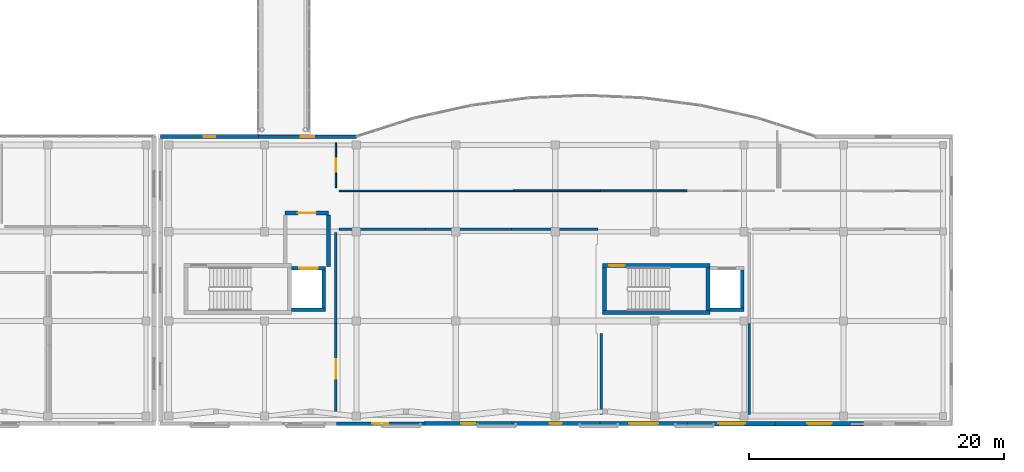
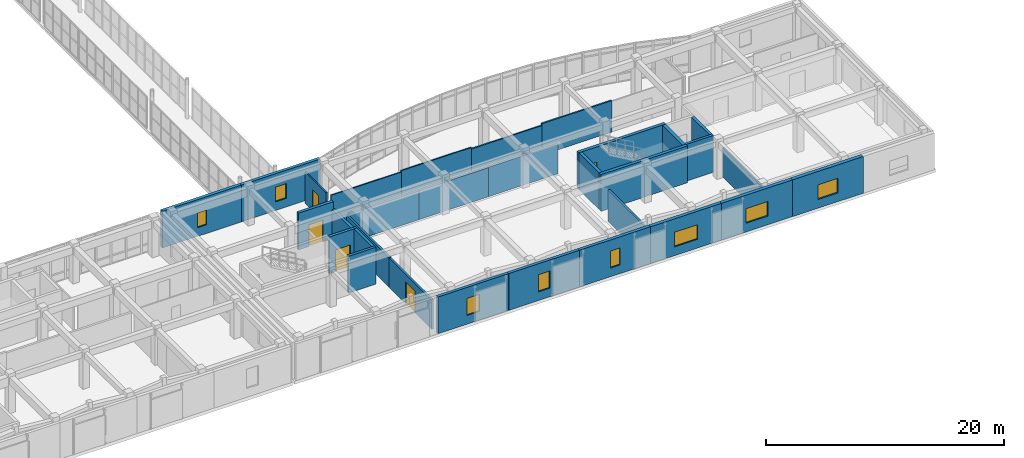
# One storey, part 132 of 146: 31 walls, 8 windows, 5 doors, 13 openings.
"""IFC4 building model written with IfcOpenShell, lengths in metres."""

from ifc_helpers import new_model, si_unit, direction, frame, frame_2d, origin, place, context, subcontext, project, spatial, rectangle, extrude, material, layer, layer_set, type_object, element, fill, save


model = new_model("IFC4")

# Units and contexts
model_context = context("Model", 3, precision=1e-05, world=origin(), true_north=direction((0.0, 1.0)))
body_context = subcontext(model_context, "Body", "Model", "MODEL_VIEW")
ifc_project = project(units=[si_unit("LENGTHUNIT", "METRE"), si_unit("AREAUNIT", "SQUARE_METRE"), si_unit("VOLUMEUNIT", "CUBIC_METRE"), si_unit("PLANEANGLEUNIT", "RADIAN"), si_unit("MASSUNIT", "GRAM", prefix="KILO")], contexts=[model_context])

# Site, building, storey
site_placement = place(None, origin())
site = spatial("IfcSite", under=ifc_project, at=site_placement, CompositionType="ELEMENT")
building_placement = place(site_placement, origin())
building = spatial("IfcBuilding", under=site, at=building_placement, Name="Valcora Specialist Clinic", CompositionType="ELEMENT")
storey_placement = place(building_placement, frame((0.0, 0.0, 9.52001953125)))
storey = spatial("IfcBuildingStorey", under=building, at=storey_placement, Name="L02", CompositionType="ELEMENT", Elevation=9.52001953125)

# Wall, opening, door
ifc_material_1 = material(Name="Concrete C40/50", Category="concrete")
ifc_layer_1 = layer(ifc_material_1, 0.284912109375)
ifc_layer_set_1 = layer_set([ifc_layer_1], Name="Concrete C40/50")
wall_type_1 = type_object("IfcWallType", Name="TY-WL-CR285", PredefinedType="SHEAR", material=ifc_layer_set_1)
wall_1_placement = place(storey_placement, frame((63.419921875, 16.659912109375, 0.0), z_axis=(0.0, 0.0, 1.0), x_axis=(1.0, 0.0, 0.0)))
wall_1 = element("IfcWall", 1, at=wall_1_placement, inside=storey, type_object=wall_type_1, Name="Firefighting lobby front wall WL-FFL-LF-07-L02-F", PredefinedType="SHEAR", context=body_context, shape_type="SweptSolid", body=[
    extrude(rectangle(XDim=3.400146484375, YDim=0.284912109375, at=frame_2d((1.7001953125, 0.0))), origin(), (0.0, 0.0, 1.0), 3.780029296875),
])
opening_1_placement = place(wall_1_placement, frame((1.0, 0.0, 0.0)))
opening_1 = element("IfcOpeningElement", 2, at=opening_1_placement, cuts=wall_1, Name="Opening DR-FF-140", PredefinedType="OPENING", context=body_context, shape_type="SweptSolid", body=[
    extrude(rectangle(XDim=1.39990234375, YDim=2.25, at=frame_2d((0.699951171875, 1.125))), frame((0.0, 0.15234375, 0.0), z_axis=(0.0, -1.0, 0.0), x_axis=(1.0, 0.0, 0.0)), (0.0, 0.0, 1.0), 0.304931640625),
])
ifc_material_2 = material(Name="Galvanized Hollow Metal Door Steel ASTM A653", Category="steel")
door_type_1 = type_object("IfcDoorType", Name="TY-DR-FF140", OperationType="NOTDEFINED", PredefinedType="DOOR", material=ifc_material_2)
door_1_placement = place(opening_1_placement, origin())
door_1 = element("IfcDoor", 3, at=door_1_placement, inside=storey, type_object=door_type_1, Name="Firefighting lobby fire door LF-07 L02", OperationType="SINGLE_SWING_RIGHT", OverallHeight=2.25, OverallWidth=1.39990234375, PredefinedType="DOOR", context=body_context, shape_type="SweptSolid", body=[
    extrude(rectangle(XDim=1.39990234375, YDim=2.25, at=frame_2d((0.699951171875, 1.125))), frame((0.0, 0.02490234375, 0.0), z_axis=(0.0, -1.0, 0.0), x_axis=(1.0, 0.0, 0.0)), (0.0, 0.0, 1.0), 0.050048828125),
])
fill(opening_1, door_1)

# Walls
wall_2_placement = place(storey_placement, frame((66.820068359375, 12.47998046875, 0.0), z_axis=(0.0, 0.0, 1.0), x_axis=(0.0, 1.0, 0.0)))
element("IfcWall", 4, at=wall_2_placement, inside=storey, type_object=wall_type_1, Name="Firefighting lobby east wall", PredefinedType="SHEAR", context=body_context, shape_type="SweptSolid", body=[
    extrude(rectangle(XDim=4.030029296875, YDim=0.284912109375, at=frame_2d((2.01513671875, 0.0))), origin(), (0.0, 0.0, 1.0), 3.030029296875),
])
ifc_layer_2 = layer(ifc_material_1, 0.300048828125)
ifc_layer_set_2 = layer_set([ifc_layer_2], Name="Concrete C40/50")
wall_type_2 = type_object("IfcWallType", Name="TY-WL-CR300", PredefinedType="SHEAR", material=ifc_layer_set_2)
wall_3_placement = place(storey_placement, frame((88.300048828125, 8.85009765625, 0.0), z_axis=(0.0, 0.0, 1.0), x_axis=(1.0, 0.0, 0.0)))
element("IfcWall", 5, at=wall_3_placement, inside=storey, type_object=wall_type_2, Name="Core shear wall WL-CR-C-V6B-L02-S", PredefinedType="SHEAR", context=body_context, shape_type="SweptSolid", body=[
    extrude(rectangle(XDim=8.419921875, YDim=0.300048828125, at=frame_2d((4.2099609375, 0.0))), origin(), (0.0, 0.0, 1.0), 3.780029296875),
])

# Wall, opening, door
wall_4_placement = place(storey_placement, frame((88.300048828125, 12.550048828125, 0.0), z_axis=(0.0, 0.0, 1.0), x_axis=(1.0, 0.0, 0.0)))
wall_4 = element("IfcWall", 6, at=wall_4_placement, inside=storey, type_object=wall_type_2, Name="Core shear wall WL-CR-C-V6B-L02-N", PredefinedType="SHEAR", context=body_context, shape_type="SweptSolid", body=[
    extrude(rectangle(XDim=8.419921875, YDim=0.300048828125, at=frame_2d((4.2099609375, 0.0))), origin(), (0.0, 0.0, 1.0), 3.780029296875),
])
opening_2_placement = place(wall_4_placement, frame((0.550048828125, 0.0, 0.0)))
opening_2 = element("IfcOpeningElement", 7, at=opening_2_placement, cuts=wall_4, Name="Opening DR-FD-120", PredefinedType="OPENING", context=body_context, shape_type="SweptSolid", body=[
    extrude(rectangle(XDim=1.199951171875, YDim=2.199951171875, at=frame_2d((0.60009765625, 1.10009765625))), frame((0.0, 0.159912109375, 0.0), z_axis=(0.0, -1.0, 0.0), x_axis=(1.0, 0.0, 0.0)), (0.0, 0.0, 1.0), 0.320068359375),
])
door_type_2 = type_object("IfcDoorType", Name="TY-DR-ST120", OperationType="NOTDEFINED", PredefinedType="DOOR", material=ifc_material_2)
door_2_placement = place(opening_2_placement, origin())
door_2 = element("IfcDoor", 8, at=door_2_placement, inside=storey, type_object=door_type_2, Name="Exit stair fire door C-V6B L02", OperationType="SINGLE_SWING_RIGHT", OverallHeight=2.199951171875, OverallWidth=1.199951171875, PredefinedType="DOOR", context=body_context, shape_type="SweptSolid", body=[
    extrude(rectangle(XDim=1.199951171875, YDim=2.199951171875, at=frame_2d((0.60009765625, 1.10009765625))), frame((0.0, 0.02490234375, 0.0), z_axis=(0.0, -1.0, 0.0), x_axis=(1.0, 0.0, 0.0)), (0.0, 0.0, 1.0), 0.050048828125),
])
fill(opening_2, door_2)

# Walls
wall_5_placement = place(storey_placement, frame((88.449951171875, 9.001953125, 0.0), z_axis=(0.0, 0.0, 1.0), x_axis=(0.0, 1.0, 0.0)))
element("IfcWall", 9, at=wall_5_placement, inside=storey, type_object=wall_type_2, Name="Core shear wall WL-CR-C-V6B-L02-W", PredefinedType="SHEAR", context=body_context, shape_type="SweptSolid", body=[
    extrude(rectangle(XDim=3.39599609375, YDim=0.300048828125, at=frame_2d((1.697998046875, 0.0))), origin(), (0.0, 0.0, 1.0), 3.780029296875),
])
ifc_layer_3 = layer(ifc_material_1, 0.320068359375)
ifc_layer_set_3 = layer_set([ifc_layer_3], Name="Concrete C40/50")
wall_type_3 = type_object("IfcWallType", Name="TY-WL-CR320", PredefinedType="SHEAR", material=ifc_layer_set_3)
wall_6_placement = place(storey_placement, frame((96.56005859375, 9.001953125, 0.0), z_axis=(0.0, 0.0, 1.0), x_axis=(0.0, 1.0, 0.0)))
element("IfcWall", 10, at=wall_6_placement, inside=storey, type_object=wall_type_3, Name="Core shear wall WL-CR-C-V6B-L02-E", PredefinedType="SHEAR", context=body_context, shape_type="SweptSolid", body=[
    extrude(rectangle(XDim=3.39599609375, YDim=0.320068359375, at=frame_2d((1.697998046875, 0.0))), origin(), (0.0, 0.0, 1.0), 3.780029296875),
])

# Wall, opening, window
ifc_material_3 = material(Name="Extruded Jalisco Clay Brick Masonry", Category="masonry")
ifc_layer_4 = layer(ifc_material_3, 0.280029296875)
ifc_layer_set_4 = layer_set([ifc_layer_4], Name="Extruded Jalisco Clay Brick Masonry")
wall_type_4 = type_object("IfcWallType", Name="TY-WL-EW280", PredefinedType="SOLIDWALL", material=ifc_layer_set_4)
wall_7_placement = place(storey_placement, frame((74.316650390625, 0.14990234375, 0.0), z_axis=(0.0, 0.0, 1.0), x_axis=(-1.0, 0.0, 0.0)))
wall_7 = element("IfcWall", 11, at=wall_7_placement, inside=storey, type_object=wall_type_4, Name="Exterior wall WL-EXT-L02-0357", PredefinedType="SOLIDWALL", context=body_context, shape_type="SweptSolid", body=[
    extrude(rectangle(XDim=6.888916015625, YDim=0.280029296875, at=frame_2d((3.4443359375, 0.0))), origin(), (0.0, 0.0, 1.0), 3.780029296875),
])
opening_3_placement = place(wall_7_placement, frame((2.819091796875, 0.0, 0.89990234375)))
opening_3 = element("IfcOpeningElement", 12, at=opening_3_placement, cuts=wall_7, Name="Opening WN-13", PredefinedType="OPENING", context=body_context, shape_type="SweptSolid", body=[
    extrude(rectangle(XDim=1.25, YDim=1.75, at=frame_2d((0.625, 0.875))), frame((0.0, 0.14990234375, 0.0), z_axis=(0.0, -1.0, 0.0), x_axis=(1.0, 0.0, 0.0)), (0.0, 0.0, 1.0), 0.300048828125),
])
ifc_material_4 = material(Name="Low-E Laminated Insulating Glass", Category="glass")
window_type_1 = type_object("IfcWindowType", Name="TY-WN-13", PartitioningType="SINGLE_PANEL", PredefinedType="WINDOW", material=ifc_material_4)
window_1_placement = place(opening_3_placement, origin())
window_1 = element("IfcWindow", 13, at=window_1_placement, inside=storey, type_object=window_type_1, Name="Facade window WN-L02-0307", OverallHeight=1.75, OverallWidth=1.25, PartitioningType="SINGLE_PANEL", PredefinedType="WINDOW", context=body_context, shape_type="SweptSolid", body=[
    extrude(rectangle(XDim=1.25, YDim=1.75, at=frame_2d((0.625, 0.875))), frame((0.0, 0.030029296875, 0.0), z_axis=(0.0, -1.0, 0.0), x_axis=(1.0, 0.0, 0.0)), (0.0, 0.0, 1.0), 0.06005859375),
])
fill(opening_3, window_1)

ifc_layer_5 = layer(ifc_material_3, 0.294921875)
ifc_layer_set_5 = layer_set([ifc_layer_5], Name="Extruded Jalisco Clay Brick Masonry")
wall_type_5 = type_object("IfcWallType", Name="TY-WL-EW295", PredefinedType="SOLIDWALL", material=ifc_layer_set_5)
wall_8_placement = place(storey_placement, frame((61.336669921875, 22.64990234375, 0.0), z_axis=(0.0, 0.0, 1.0), x_axis=(1.0, 0.0, 0.0)))
wall_8 = element("IfcWall", 14, at=wall_8_placement, inside=storey, type_object=wall_type_5, Name="Exterior wall WL-EXT-L02-0346", PredefinedType="SOLIDWALL", context=body_context, shape_type="SweptSolid", body=[
    extrude(rectangle(XDim=7.6865234375, YDim=0.294921875, at=frame_2d((3.84326171875, 0.0))), origin(), (0.0, 0.0, 1.0), 3.780029296875),
])
opening_4_placement = place(wall_8_placement, frame((3.318115234375, 0.0, 0.89990234375)))
opening_4 = element("IfcOpeningElement", 15, at=opening_4_placement, cuts=wall_8, Name="Opening WN-02", PredefinedType="OPENING", context=body_context, shape_type="SweptSolid", body=[
    extrude(rectangle(XDim=1.050048828125, YDim=1.5, at=frame_2d((0.52490234375, 0.75))), frame((0.0, 0.157470703125, 0.0), z_axis=(0.0, -1.0, 0.0), x_axis=(1.0, 0.0, 0.0)), (0.0, 0.0, 1.0), 0.31494140625),
])
window_type_2 = type_object("IfcWindowType", Name="TY-WN-02", PartitioningType="SINGLE_PANEL", PredefinedType="WINDOW", material=ifc_material_4)
window_2_placement = place(opening_4_placement, origin())
window_2 = element("IfcWindow", 16, at=window_2_placement, inside=storey, type_object=window_type_2, Name="Facade window WN-L02-0296", OverallHeight=1.5, OverallWidth=1.050048828125, PartitioningType="SINGLE_PANEL", PredefinedType="WINDOW", context=body_context, shape_type="SweptSolid", body=[
    extrude(rectangle(XDim=1.050048828125, YDim=1.5, at=frame_2d((0.52490234375, 0.75))), frame((0.0, 0.030029296875, 0.0), z_axis=(0.0, -1.0, 0.0), x_axis=(1.0, 0.0, 0.0)), (0.0, 0.0, 1.0), 0.06005859375),
])
fill(opening_4, window_2)

wall_9_placement = place(storey_placement, frame((81.20556640625, 0.14990234375, 0.0), z_axis=(0.0, 0.0, 1.0), x_axis=(-1.0, 0.0, 0.0)))
wall_9 = element("IfcWall", 17, at=wall_9_placement, inside=storey, type_object=wall_type_5, Name="Exterior wall WL-EXT-L02-0356", PredefinedType="SOLIDWALL", context=body_context, shape_type="SweptSolid", body=[
    extrude(rectangle(XDim=6.888916015625, YDim=0.294921875, at=frame_2d((3.4443359375, 0.0))), origin(), (0.0, 0.0, 1.0), 3.780029296875),
])
opening_5_placement = place(wall_9_placement, frame((2.89404296875, 0.0, 0.89990234375)))
opening_5 = element("IfcOpeningElement", 18, at=opening_5_placement, cuts=wall_9, Name="Opening WN-12", PredefinedType="OPENING", context=body_context, shape_type="SweptSolid", body=[
    extrude(rectangle(XDim=1.10009765625, YDim=1.75, at=frame_2d((0.550048828125, 0.875))), frame((0.0, 0.157470703125, 0.0), z_axis=(0.0, -1.0, 0.0), x_axis=(1.0, 0.0, 0.0)), (0.0, 0.0, 1.0), 0.31494140625),
])
window_type_3 = type_object("IfcWindowType", Name="TY-WN-12", PartitioningType="SINGLE_PANEL", PredefinedType="WINDOW", material=ifc_material_4)
window_3_placement = place(opening_5_placement, origin())
window_3 = element("IfcWindow", 19, at=window_3_placement, inside=storey, type_object=window_type_3, Name="Facade window WN-L02-0306", OverallHeight=1.75, OverallWidth=1.10009765625, PartitioningType="SINGLE_PANEL", PredefinedType="WINDOW", context=body_context, shape_type="SweptSolid", body=[
    extrude(rectangle(XDim=1.10009765625, YDim=1.75, at=frame_2d((0.550048828125, 0.875))), frame((0.0, 0.030029296875, 0.0), z_axis=(0.0, -1.0, 0.0), x_axis=(1.0, 0.0, 0.0)), (0.0, 0.0, 1.0), 0.06005859375),
])
fill(opening_5, window_3)

ifc_layer_6 = layer(ifc_material_3, 0.31005859375)
ifc_layer_set_6 = layer_set([ifc_layer_6], Name="Extruded Jalisco Clay Brick Masonry")
wall_type_6 = type_object("IfcWallType", Name="TY-WL-EW310", PredefinedType="SOLIDWALL", material=ifc_layer_set_6)
wall_10_placement = place(storey_placement, frame((53.64990234375, 22.64990234375, 0.0), z_axis=(0.0, 0.0, 1.0), x_axis=(1.0, 0.0, 0.0)))
wall_10 = element("IfcWall", 20, at=wall_10_placement, inside=storey, type_object=wall_type_6, Name="Exterior wall WL-EXT-L02-0345", PredefinedType="SOLIDWALL", context=body_context, shape_type="SweptSolid", body=[
    extrude(rectangle(XDim=7.686767578125, YDim=0.31005859375, at=frame_2d((3.84326171875, 0.0))), origin(), (0.0, 0.0, 1.0), 3.780029296875),
])
opening_6_placement = place(wall_10_placement, frame((3.39306640625, 0.0, 0.89990234375)))
opening_6 = element("IfcOpeningElement", 21, at=opening_6_placement, cuts=wall_10, Name="Opening WN-01", PredefinedType="OPENING", context=body_context, shape_type="SweptSolid", body=[
    extrude(rectangle(XDim=0.89990234375, YDim=1.5, at=frame_2d((0.449951171875, 0.75))), frame((0.0, 0.1650390625, 0.0), z_axis=(0.0, -1.0, 0.0), x_axis=(1.0, 0.0, 0.0)), (0.0, 0.0, 1.0), 0.330078125),
])
window_type_4 = type_object("IfcWindowType", Name="TY-WN-01", PartitioningType="SINGLE_PANEL", PredefinedType="WINDOW", material=ifc_material_4)
window_4_placement = place(opening_6_placement, origin())
window_4 = element("IfcWindow", 22, at=window_4_placement, inside=storey, type_object=window_type_4, Name="Facade window WN-L02-0295", OverallHeight=1.5, OverallWidth=0.89990234375, PartitioningType="SINGLE_PANEL", PredefinedType="WINDOW", context=body_context, shape_type="SweptSolid", body=[
    extrude(rectangle(XDim=0.89990234375, YDim=1.5, at=frame_2d((0.449951171875, 0.75))), frame((0.0, 0.030029296875, 0.0), z_axis=(0.0, -1.0, 0.0), x_axis=(1.0, 0.0, 0.0)), (0.0, 0.0, 1.0), 0.06005859375),
])
fill(opening_6, window_4)

wall_11_placement = place(storey_placement, frame((88.094482421875, 0.14990234375, 0.0), z_axis=(0.0, 0.0, 1.0), x_axis=(-1.0, 0.0, 0.0)))
wall_11 = element("IfcWall", 23, at=wall_11_placement, inside=storey, type_object=wall_type_6, Name="Exterior wall WL-EXT-L02-0355", PredefinedType="SOLIDWALL", context=body_context, shape_type="SweptSolid", body=[
    extrude(rectangle(XDim=6.888916015625, YDim=0.31005859375, at=frame_2d((3.4443359375, 0.0))), origin(), (0.0, 0.0, 1.0), 3.780029296875),
])
opening_7_placement = place(wall_11_placement, frame((2.968994140625, 0.0, 0.89990234375)))
opening_7 = element("IfcOpeningElement", 24, at=opening_7_placement, cuts=wall_11, Name="Opening WN-11", PredefinedType="OPENING", context=body_context, shape_type="SweptSolid", body=[
    extrude(rectangle(XDim=0.949951171875, YDim=1.75, at=frame_2d((0.47509765625, 0.875))), frame((0.0, 0.1650390625, 0.0), z_axis=(0.0, -1.0, 0.0), x_axis=(1.0, 0.0, 0.0)), (0.0, 0.0, 1.0), 0.330078125),
])
window_type_5 = type_object("IfcWindowType", Name="TY-WN-11", PartitioningType="SINGLE_PANEL", PredefinedType="WINDOW", material=ifc_material_4)
window_5_placement = place(opening_7_placement, origin())
window_5 = element("IfcWindow", 25, at=window_5_placement, inside=storey, type_object=window_type_5, Name="Facade window WN-L02-0305", OverallHeight=1.75, OverallWidth=0.949951171875, PartitioningType="SINGLE_PANEL", PredefinedType="WINDOW", context=body_context, shape_type="SweptSolid", body=[
    extrude(rectangle(XDim=0.949951171875, YDim=1.75, at=frame_2d((0.47509765625, 0.875))), frame((0.0, 0.030029296875, 0.0), z_axis=(0.0, -1.0, 0.0), x_axis=(1.0, 0.0, 0.0)), (0.0, 0.0, 1.0), 0.06005859375),
])
fill(opening_7, window_5)

ifc_layer_7 = layer(ifc_material_3, 0.324951171875)
ifc_layer_set_7 = layer_set([ifc_layer_7], Name="Extruded Jalisco Clay Brick Masonry")
wall_type_7 = type_object("IfcWallType", Name="TY-WL-EW325", PredefinedType="SOLIDWALL", material=ifc_layer_set_7)
wall_12_placement = place(storey_placement, frame((94.9833984375, 0.14990234375, 0.0), z_axis=(0.0, 0.0, 1.0), x_axis=(-1.0, 0.0, 0.0)))
wall_12 = element("IfcWall", 26, at=wall_12_placement, inside=storey, type_object=wall_type_7, Name="Exterior wall WL-EXT-L02-0354", PredefinedType="SOLIDWALL", context=body_context, shape_type="SweptSolid", body=[
    extrude(rectangle(XDim=6.888916015625, YDim=0.324951171875, at=frame_2d((3.4443359375, 0.0))), origin(), (0.0, 0.0, 1.0), 3.780029296875),
])
opening_8_placement = place(wall_12_placement, frame((2.319091796875, 0.0, 0.89990234375)))
opening_8 = element("IfcOpeningElement", 27, at=opening_8_placement, cuts=wall_12, Name="Opening WN-10", PredefinedType="OPENING", context=body_context, shape_type="SweptSolid", body=[
    extrude(rectangle(XDim=2.25, YDim=1.5, at=frame_2d((1.125, 0.75))), frame((0.0, 0.17236328125, 0.0), z_axis=(0.0, -1.0, 0.0), x_axis=(1.0, 0.0, 0.0)), (0.0, 0.0, 1.0), 0.344970703125),
])
window_type_6 = type_object("IfcWindowType", Name="TY-WN-10", PartitioningType="SINGLE_PANEL", PredefinedType="WINDOW", material=ifc_material_4)
window_6_placement = place(opening_8_placement, origin())
window_6 = element("IfcWindow", 28, at=window_6_placement, inside=storey, type_object=window_type_6, Name="Facade window WN-L02-0304", OverallHeight=1.5, OverallWidth=2.25, PartitioningType="SINGLE_PANEL", PredefinedType="WINDOW", context=body_context, shape_type="SweptSolid", body=[
    extrude(rectangle(XDim=2.25, YDim=1.5, at=frame_2d((1.125, 0.75))), frame((0.0, 0.030029296875, 0.0), z_axis=(0.0, -1.0, 0.0), x_axis=(1.0, 0.0, 0.0)), (0.0, 0.0, 1.0), 0.06005859375),
])
fill(opening_8, window_6)

ifc_layer_8 = layer(ifc_material_3, 0.340087890625)
ifc_layer_set_8 = layer_set([ifc_layer_8], Name="Extruded Jalisco Clay Brick Masonry")
wall_type_8 = type_object("IfcWallType", Name="TY-WL-EW340", PredefinedType="SOLIDWALL", material=ifc_layer_set_8)
wall_13_placement = place(storey_placement, frame((101.872314453125, 0.14990234375, 0.0), z_axis=(0.0, 0.0, 1.0), x_axis=(-1.0, 0.0, 0.0)))
wall_13 = element("IfcWall", 29, at=wall_13_placement, inside=storey, type_object=wall_type_8, Name="Exterior wall WL-EXT-L02-0353", PredefinedType="SOLIDWALL", context=body_context, shape_type="SweptSolid", body=[
    extrude(rectangle(XDim=6.888916015625, YDim=0.340087890625, at=frame_2d((3.4443359375, 0.0))), origin(), (0.0, 0.0, 1.0), 3.780029296875),
])
opening_9_placement = place(wall_13_placement, frame((2.39404296875, 0.0, 0.89990234375)))
opening_9 = element("IfcOpeningElement", 30, at=opening_9_placement, cuts=wall_13, Name="Opening WN-09", PredefinedType="OPENING", context=body_context, shape_type="SweptSolid", body=[
    extrude(rectangle(XDim=2.10009765625, YDim=1.5, at=frame_2d((1.050048828125, 0.75))), frame((0.0, 0.179931640625, 0.0), z_axis=(0.0, -1.0, 0.0), x_axis=(1.0, 0.0, 0.0)), (0.0, 0.0, 1.0), 0.360107421875),
])
window_type_7 = type_object("IfcWindowType", Name="TY-WN-09", PartitioningType="SINGLE_PANEL", PredefinedType="WINDOW", material=ifc_material_4)
window_7_placement = place(opening_9_placement, origin())
window_7 = element("IfcWindow", 31, at=window_7_placement, inside=storey, type_object=window_type_7, Name="Facade window WN-L02-0303", OverallHeight=1.5, OverallWidth=2.10009765625, PartitioningType="SINGLE_PANEL", PredefinedType="WINDOW", context=body_context, shape_type="SweptSolid", body=[
    extrude(rectangle(XDim=2.10009765625, YDim=1.5, at=frame_2d((1.050048828125, 0.75))), frame((0.0, 0.030029296875, 0.0), z_axis=(0.0, -1.0, 0.0), x_axis=(1.0, 0.0, 0.0)), (0.0, 0.0, 1.0), 0.06005859375),
])
fill(opening_9, window_7)

ifc_layer_9 = layer(ifc_material_3, 0.35498046875)
ifc_layer_set_9 = layer_set([ifc_layer_9], Name="Extruded Jalisco Clay Brick Masonry")
wall_type_9 = type_object("IfcWallType", Name="TY-WL-EW355", PredefinedType="SOLIDWALL", material=ifc_layer_set_9)
wall_14_placement = place(storey_placement, frame((108.760986328125, 0.14990234375, 0.0), z_axis=(0.0, 0.0, 1.0), x_axis=(-1.0, 0.0, 0.0)))
wall_14 = element("IfcWall", 32, at=wall_14_placement, inside=storey, type_object=wall_type_9, Name="Exterior wall WL-EXT-L02-0352", PredefinedType="SOLIDWALL", context=body_context, shape_type="SweptSolid", body=[
    extrude(rectangle(XDim=6.888671875, YDim=0.35498046875, at=frame_2d((3.4443359375, 0.0))), origin(), (0.0, 0.0, 1.0), 3.780029296875),
])
opening_10_placement = place(wall_14_placement, frame((2.468994140625, 0.0, 0.89990234375)))
opening_10 = element("IfcOpeningElement", 33, at=opening_10_placement, cuts=wall_14, Name="Opening WN-08", PredefinedType="OPENING", context=body_context, shape_type="SweptSolid", body=[
    extrude(rectangle(XDim=1.949951171875, YDim=1.5, at=frame_2d((0.97509765625, 0.75))), frame((0.0, 0.1875, 0.0), z_axis=(0.0, -1.0, 0.0), x_axis=(1.0, 0.0, 0.0)), (0.0, 0.0, 1.0), 0.375),
])
window_type_8 = type_object("IfcWindowType", Name="TY-WN-08", PartitioningType="SINGLE_PANEL", PredefinedType="WINDOW", material=ifc_material_4)
window_8_placement = place(opening_10_placement, origin())
window_8 = element("IfcWindow", 34, at=window_8_placement, inside=storey, type_object=window_type_8, Name="Facade window WN-L02-0302", OverallHeight=1.5, OverallWidth=1.949951171875, PartitioningType="SINGLE_PANEL", PredefinedType="WINDOW", context=body_context, shape_type="SweptSolid", body=[
    extrude(rectangle(XDim=1.949951171875, YDim=1.5, at=frame_2d((0.97509765625, 0.75))), frame((0.0, 0.030029296875, 0.0), z_axis=(0.0, -1.0, 0.0), x_axis=(1.0, 0.0, 0.0)), (0.0, 0.0, 1.0), 0.06005859375),
])
fill(opening_10, window_8)

# Wall, opening, door
ifc_material_5 = material(Name="Gypsum Board Partition Assembly")
ifc_layer_10 = layer(ifc_material_5, 0.114990234375)
ifc_layer_set_10 = layer_set([ifc_layer_10], Name="Gypsum Board Partition Assembly")
wall_type_10 = type_object("IfcWallType", Name="TY-WL-PT115", PredefinedType="PARTITIONING", material=ifc_layer_set_10)
wall_15_placement = place(storey_placement, frame((67.39990234375, 18.64990234375, 0.0), z_axis=(0.0, 0.0, 1.0), x_axis=(0.0, 1.0, 0.0)))
wall_15 = element("IfcWall", 35, at=wall_15_placement, inside=storey, type_object=wall_type_10, Name="Interior partition WL-INT-L02-0369", PredefinedType="PARTITIONING", context=body_context, shape_type="SweptSolid", body=[
    extrude(rectangle(XDim=3.5400390625, YDim=0.114990234375, at=frame_2d((1.77001953125, 0.0))), origin(), (0.0, 0.0, 1.0), 3.22998046875),
])
opening_11_placement = place(wall_15_placement, frame((1.260009765625, 0.0, 0.0)))
opening_11 = element("IfcOpeningElement", 36, at=opening_11_placement, cuts=wall_15, Name="Opening DR-CN-102", PredefinedType="OPENING", context=body_context, shape_type="SweptSolid", body=[
    extrude(rectangle(XDim=1.02001953125, YDim=2.14990234375, at=frame_2d((0.510009765625, 1.074951171875))), frame((0.0, 0.0673828125, 0.0), z_axis=(0.0, -1.0, 0.0), x_axis=(1.0, 0.0, 0.0)), (0.0, 0.0, 1.0), 0.135009765625),
])
ifc_material_6 = material(Name="Glulam Conifer Class 24F", Category="wood")
door_type_3 = type_object("IfcDoorType", Name="TY-DR-CN102", OperationType="NOTDEFINED", PredefinedType="DOOR", material=ifc_material_6)
door_3_placement = place(opening_11_placement, origin())
door_3 = element("IfcDoor", 37, at=door_3_placement, inside=storey, type_object=door_type_3, Name="Interior door DR-INT-L02-0104", OperationType="SINGLE_SWING_RIGHT", OverallHeight=2.14990234375, OverallWidth=1.02001953125, PredefinedType="DOOR", context=body_context, shape_type="SweptSolid", body=[
    extrude(rectangle(XDim=1.02001953125, YDim=2.14990234375, at=frame_2d((0.510009765625, 1.074951171875))), frame((0.0, 0.02490234375, 0.0), z_axis=(0.0, -1.0, 0.0), x_axis=(1.0, 0.0, 0.0)), (0.0, 0.0, 1.0), 0.050048828125),
])
fill(opening_11, door_3)

# Walls
wall_16_placement = place(storey_placement, frame((74.469970703125, 18.39990234375, 0.0), z_axis=(0.0, 0.0, 1.0), x_axis=(-1.0, 0.0, 0.0)))
element("IfcWall", 38, at=wall_16_placement, inside=storey, type_object=wall_type_10, Name="Interior partition WL-INT-L02-0375", PredefinedType="PARTITIONING", context=body_context, shape_type="SweptSolid", body=[
    extrude(rectangle(XDim=6.820068359375, YDim=0.114990234375, at=frame_2d((3.41015625, 0.0))), origin(), (0.0, 0.0, 1.0), 3.030029296875),
])
ifc_layer_11 = layer(ifc_material_5, 0.125)
ifc_layer_set_11 = layer_set([ifc_layer_11], Name="Gypsum Board Partition Assembly")
wall_type_11 = type_object("IfcWallType", Name="TY-WL-PT125", PredefinedType="PARTITIONING", material=ifc_layer_set_11)
wall_17_placement = place(storey_placement, frame((81.2900390625, 18.39990234375, 0.0), z_axis=(0.0, 0.0, 1.0), x_axis=(-1.0, 0.0, 0.0)))
element("IfcWall", 39, at=wall_17_placement, inside=storey, type_object=wall_type_11, Name="Interior partition WL-INT-L02-0374", PredefinedType="PARTITIONING", context=body_context, shape_type="SweptSolid", body=[
    extrude(rectangle(XDim=6.820068359375, YDim=0.125, at=frame_2d((3.41015625, 0.0))), origin(), (0.0, 0.0, 1.0), 3.179931640625),
])
ifc_layer_12 = layer(ifc_material_5, 0.135009765625)
ifc_layer_set_12 = layer_set([ifc_layer_12], Name="Gypsum Board Partition Assembly")
wall_type_12 = type_object("IfcWallType", Name="TY-WL-PT135", PredefinedType="PARTITIONING", material=ifc_layer_set_12)
wall_18_placement = place(storey_placement, frame((88.110107421875, 18.39990234375, 0.0), z_axis=(0.0, 0.0, 1.0), x_axis=(-1.0, 0.0, 0.0)))
element("IfcWall", 40, at=wall_18_placement, inside=storey, type_object=wall_type_12, Name="Interior partition WL-INT-L02-0373", PredefinedType="PARTITIONING", context=body_context, shape_type="SweptSolid", body=[
    extrude(rectangle(XDim=6.820068359375, YDim=0.135009765625, at=frame_2d((3.41015625, 0.0))), origin(), (0.0, 0.0, 1.0), 3.030029296875),
])
ifc_layer_13 = layer(ifc_material_5, 0.14501953125)
ifc_layer_set_13 = layer_set([ifc_layer_13], Name="Gypsum Board Partition Assembly")
wall_type_13 = type_object("IfcWallType", Name="TY-WL-PT145", PredefinedType="PARTITIONING", material=ifc_layer_set_13)
wall_19_placement = place(storey_placement, frame((94.929931640625, 18.39990234375, 0.0), z_axis=(0.0, 0.0, 1.0), x_axis=(-1.0, 0.0, 0.0)))
element("IfcWall", 41, at=wall_19_placement, inside=storey, type_object=wall_type_13, Name="Interior partition WL-INT-L02-0372", PredefinedType="PARTITIONING", context=body_context, shape_type="SweptSolid", body=[
    extrude(rectangle(XDim=6.81982421875, YDim=0.14501953125, at=frame_2d((3.409912109375, 0.0))), origin(), (0.0, 0.0, 1.0), 3.22998046875),
])

# Wall, opening, door
ifc_layer_14 = layer(ifc_material_5, 0.195068359375)
ifc_layer_set_14 = layer_set([ifc_layer_14], Name="Gypsum Board Partition Assembly")
wall_type_14 = type_object("IfcWallType", Name="TY-WL-PT195", PredefinedType="PARTITIONING", material=ifc_layer_set_14)
wall_20_placement = place(storey_placement, frame((67.39990234375, 0.85009765625, 0.0), z_axis=(0.0, 0.0, 1.0), x_axis=(0.0, 1.0, 0.0)))
wall_20 = element("IfcWall", 42, at=wall_20_placement, inside=storey, type_object=wall_type_14, Name="Interior partition WL-INT-L02-0359", PredefinedType="PARTITIONING", context=body_context, shape_type="SweptSolid", body=[
    extrude(rectangle(XDim=7.14990234375, YDim=0.195068359375, at=frame_2d((3.574951171875, 0.0))), origin(), (0.0, 0.0, 1.0), 3.0),
])
opening_12_placement = place(wall_20_placement, frame((2.800048828125, 0.0, 0.0)))
opening_12 = element("IfcOpeningElement", 43, at=opening_12_placement, cuts=wall_20, Name="Opening DR-CL-155", PredefinedType="OPENING", context=body_context, shape_type="SweptSolid", body=[
    extrude(rectangle(XDim=1.550048828125, YDim=2.25, at=frame_2d((0.77490234375, 1.125))), frame((0.0, 0.107421875, 0.0), z_axis=(0.0, -1.0, 0.0), x_axis=(1.0, 0.0, 0.0)), (0.0, 0.0, 1.0), 0.215087890625),
])
ifc_material_7 = material(Name="Anodized Bronze Aluminium 6063-T6", Category="aluminium")
door_type_4 = type_object("IfcDoorType", Name="TY-DR-CL155", OperationType="NOTDEFINED", PredefinedType="DOOR", material=ifc_material_7)
door_4_placement = place(opening_12_placement, origin())
door_4 = element("IfcDoor", 44, at=door_4_placement, inside=storey, type_object=door_type_4, Name="Interior door DR-INT-L02-0101", OperationType="SINGLE_SWING_LEFT", OverallHeight=2.25, OverallWidth=1.550048828125, PredefinedType="DOOR", context=body_context, shape_type="SweptSolid", body=[
    extrude(rectangle(XDim=1.550048828125, YDim=2.25, at=frame_2d((0.77490234375, 1.125))), frame((0.0, 0.02490234375, 0.0), z_axis=(0.0, -1.0, 0.0), x_axis=(1.0, 0.0, 0.0)), (0.0, 0.0, 1.0), 0.050048828125),
])
fill(opening_12, door_4)

# Walls
wall_21_placement = place(storey_placement, frame((67.39990234375, 8.0, 0.0), z_axis=(0.0, 0.0, 1.0), x_axis=(0.0, 1.0, 0.0)))
element("IfcWall", 45, at=wall_21_placement, inside=storey, type_object=wall_type_14, Name="Interior partition WL-INT-L02-0360", PredefinedType="PARTITIONING", context=body_context, shape_type="SweptSolid", body=[
    extrude(rectangle(XDim=7.14990234375, YDim=0.195068359375, at=frame_2d((3.574951171875, 0.0))), origin(), (0.0, 0.0, 1.0), 3.030029296875),
])
wall_22_placement = place(storey_placement, frame((67.64990234375, 15.39990234375, 0.0), z_axis=(0.0, 0.0, 1.0), x_axis=(1.0, 0.0, 0.0)))
element("IfcWall", 46, at=wall_22_placement, inside=storey, type_object=wall_type_14, Name="Interior partition WL-INT-L02-0361", PredefinedType="PARTITIONING", context=body_context, shape_type="SweptSolid", body=[
    extrude(rectangle(XDim=6.76708984375, YDim=0.195068359375, at=frame_2d((3.383544921875, 0.0))), origin(), (0.0, 0.0, 1.0), 2.97998046875),
])
wall_23_placement = place(storey_placement, frame((74.4169921875, 15.39990234375, 0.0), z_axis=(0.0, 0.0, 1.0), x_axis=(1.0, 0.0, 0.0)))
element("IfcWall", 47, at=wall_23_placement, inside=storey, type_object=wall_type_14, Name="Interior partition WL-INT-L02-0362", PredefinedType="PARTITIONING", context=body_context, shape_type="SweptSolid", body=[
    extrude(rectangle(XDim=6.76611328125, YDim=0.195068359375, at=frame_2d((3.383056640625, 0.0))), origin(), (0.0, 0.0, 1.0), 2.97998046875),
])
wall_24_placement = place(storey_placement, frame((81.18310546875, 15.39990234375, 0.0), z_axis=(0.0, 0.0, 1.0), x_axis=(1.0, 0.0, 0.0)))
element("IfcWall", 48, at=wall_24_placement, inside=storey, type_object=wall_type_14, Name="Interior partition WL-INT-L02-0363", PredefinedType="PARTITIONING", context=body_context, shape_type="SweptSolid", body=[
    extrude(rectangle(XDim=6.766845703125, YDim=0.195068359375, at=frame_2d((3.38330078125, 0.0))), origin(), (0.0, 0.0, 1.0), 3.030029296875),
])
wall_25_placement = place(storey_placement, frame((88.199951171875, 7.199951171875, 0.0), z_axis=(0.0, 0.0, 1.0), x_axis=(0.0, -1.0, 0.0)))
element("IfcWall", 49, at=wall_25_placement, inside=storey, type_object=wall_type_14, Name="Interior partition WL-INT-L02-0364", PredefinedType="PARTITIONING", context=body_context, shape_type="SweptSolid", body=[
    extrude(rectangle(XDim=6.349853515625, YDim=0.195068359375, at=frame_2d((3.1748046875, 0.0))), origin(), (0.0, 0.0, 1.0), 3.179931640625),
])
wall_26_placement = place(storey_placement, frame((99.800048828125, 0.85009765625, 0.0), z_axis=(0.0, 0.0, 1.0), x_axis=(0.0, 1.0, 0.0)))
element("IfcWall", 50, at=wall_26_placement, inside=storey, type_object=wall_type_14, Name="Interior partition WL-INT-L02-0367", PredefinedType="PARTITIONING", context=body_context, shape_type="SweptSolid", body=[
    extrude(rectangle(XDim=7.14990234375, YDim=0.195068359375, at=frame_2d((3.574951171875, 0.0))), origin(), (0.0, 0.0, 1.0), 2.97998046875),
])
ifc_layer_15 = layer(ifc_material_1, 0.260009765625)
ifc_layer_set_15 = layer_set([ifc_layer_15], Name="Concrete C40/50")
wall_type_15 = type_object("IfcWallType", Name="TY-WL-SH260", PredefinedType="SHEAR", material=ifc_layer_set_15)
wall_27_placement = place(storey_placement, frame((63.922119140625, 9.070068359375, 0.0), z_axis=(0.0, 0.0, 1.0), x_axis=(1.0, 0.0, 0.0)))
element("IfcWall", 51, at=wall_27_placement, inside=storey, type_object=wall_type_15, Name="Lift shaft wall WL-LF-LF-07-L02-LS", PredefinedType="SHEAR", context=body_context, shape_type="SweptSolid", body=[
    extrude(rectangle(XDim=2.657958984375, YDim=0.260009765625, at=frame_2d((1.3291015625, 0.0))), origin(), (0.0, 0.0, 1.0), 3.780029296875),
])

# Wall, opening, door
wall_28_placement = place(storey_placement, frame((63.922119140625, 12.330078125, 0.0), z_axis=(0.0, 0.0, 1.0), x_axis=(1.0, 0.0, 0.0)))
wall_28 = element("IfcWall", 52, at=wall_28_placement, inside=storey, type_object=wall_type_15, Name="Lift shaft wall WL-LF-LF-07-L02-LN", PredefinedType="SHEAR", context=body_context, shape_type="SweptSolid", body=[
    extrude(rectangle(XDim=2.657958984375, YDim=0.260009765625, at=frame_2d((1.3291015625, 0.0))), origin(), (0.0, 0.0, 1.0), 3.780029296875),
])
opening_13_placement = place(wall_28_placement, frame((0.618896484375, 0.0, 0.0)))
opening_13 = element("IfcOpeningElement", 53, at=opening_13_placement, cuts=wall_28, Name="Opening LD-142", PredefinedType="OPENING", context=body_context, shape_type="SweptSolid", body=[
    extrude(rectangle(XDim=1.419921875, YDim=2.25, at=frame_2d((0.7099609375, 1.125))), frame((0.0, 0.139892578125, 0.0), z_axis=(0.0, -1.0, 0.0), x_axis=(1.0, 0.0, 0.0)), (0.0, 0.0, 1.0), 0.280029296875),
])
ifc_material_8 = material(Name="Stainless Steel AISI 316", Category="steel")
door_type_5 = type_object("IfcDoorType", Name="TY-LD-142", OperationType="NOTDEFINED", PredefinedType="DOOR", material=ifc_material_8)
door_5_placement = place(opening_13_placement, origin())
door_5 = element("IfcDoor", 54, at=door_5_placement, inside=storey, type_object=door_type_5, Name="Lift landing sliding door LF-07 L02", OperationType="SLIDING_TO_RIGHT", OverallHeight=2.25, OverallWidth=1.419921875, PredefinedType="DOOR", context=body_context, shape_type="SweptSolid", body=[
    extrude(rectangle(XDim=1.419921875, YDim=2.25, at=frame_2d((0.7099609375, 1.125))), frame((0.0, 0.02490234375, 0.0), z_axis=(0.0, -1.0, 0.0), x_axis=(1.0, 0.0, 0.0)), (0.0, 0.0, 1.0), 0.050048828125),
])
fill(opening_13, door_5)

# Walls
wall_29_placement = place(storey_placement, frame((66.449951171875, 9.201904296875, 0.0), z_axis=(0.0, 0.0, 1.0), x_axis=(0.0, 1.0, 0.0)))
element("IfcWall", 55, at=wall_29_placement, inside=storey, type_object=wall_type_15, Name="Lift shaft wall WL-LF-LF-07-L02-LE", PredefinedType="SHEAR", context=body_context, shape_type="SweptSolid", body=[
    extrude(rectangle(XDim=2.99609375, YDim=0.260009765625, at=frame_2d((1.498046875, 0.0))), origin(), (0.0, 0.0, 1.0), 3.780029296875),
])
wall_30_placement = place(storey_placement, frame((96.721923828125, 9.070068359375, 0.0), z_axis=(0.0, 0.0, 1.0), x_axis=(1.0, 0.0, 0.0)))
element("IfcWall", 56, at=wall_30_placement, inside=storey, type_object=wall_type_15, Name="Lift shaft wall WL-LF-LF-08-L02-LS", PredefinedType="SHEAR", context=body_context, shape_type="SweptSolid", body=[
    extrude(rectangle(XDim=2.657958984375, YDim=0.260009765625, at=frame_2d((1.3291015625, 0.0))), origin(), (0.0, 0.0, 1.0), 3.780029296875),
])
wall_31_placement = place(storey_placement, frame((99.25, 9.201904296875, 0.0), z_axis=(0.0, 0.0, 1.0), x_axis=(0.0, 1.0, 0.0)))
element("IfcWall", 57, at=wall_31_placement, inside=storey, type_object=wall_type_15, Name="Lift shaft wall WL-LF-LF-08-L02-LE", PredefinedType="SHEAR", context=body_context, shape_type="SweptSolid", body=[
    extrude(rectangle(XDim=2.99609375, YDim=0.260009765625, at=frame_2d((1.498046875, 0.0))), origin(), (0.0, 0.0, 1.0), 3.780029296875),
])

save(model, "model.ifc")
